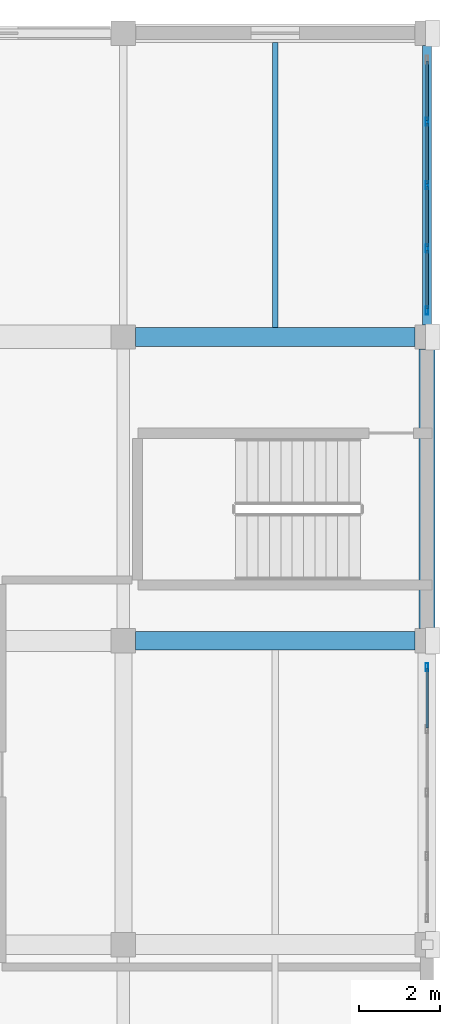
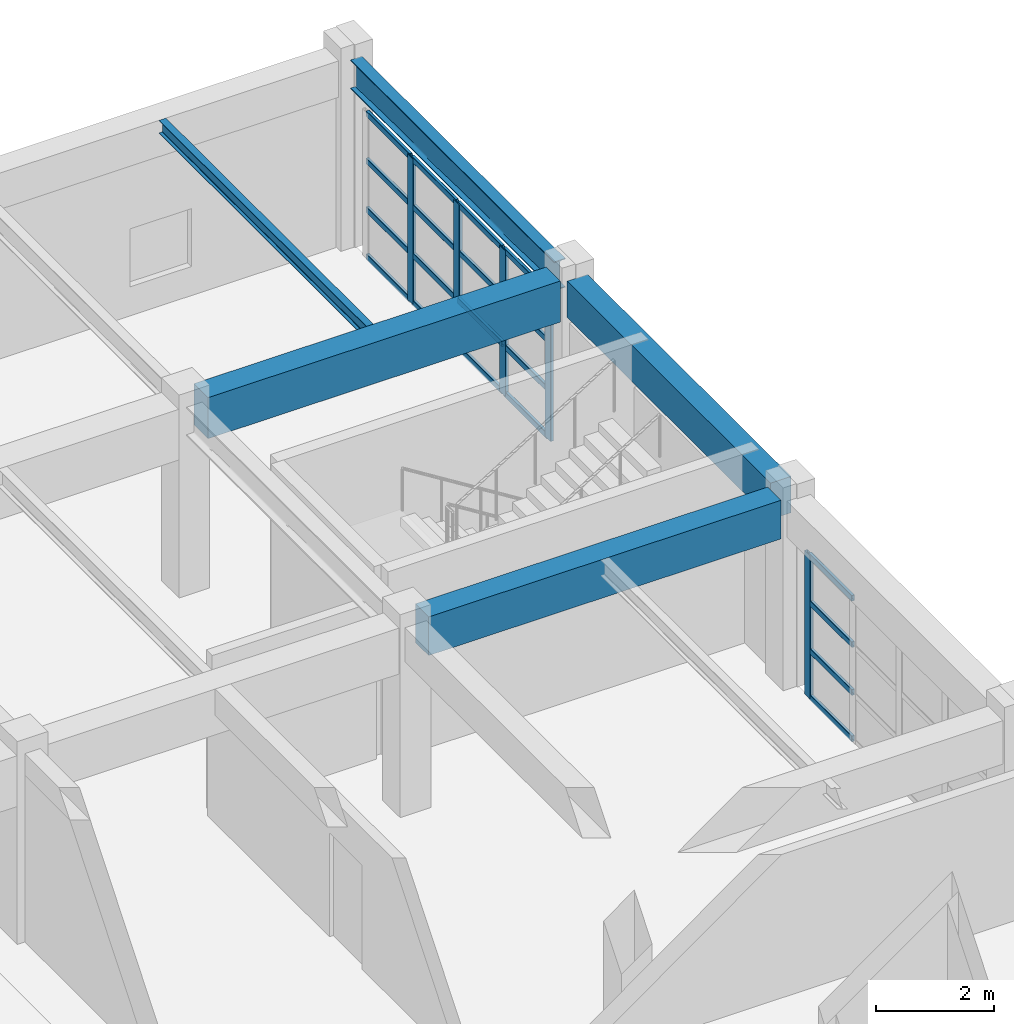
# One storey, part 74 of 124: 25 members, 5 beams, 2 elements without a shape of their own.
"""IFC4 building model written with IfcOpenShell, lengths in metres."""

import ifcopenshell
import ifcopenshell.guid

model = None  # the IFC model being written
_history = None  # IfcOwnerHistory: only IFC2X3 demands one
_inside = {}  # id of a spatial element -> (the spatial element, [elements in it])
_under = {}  # id of a project, library or spatial element -> (it, [spatial elements below it])
_declared = {}  # id of a project -> (the project, [libraries it declares])
_typed = {}  # id of a type object -> (the type object, [elements of that type])
_made_of = {}  # id of a material, layer set ... -> (it, [elements and type objects made of it])


def new_model(schema):
    """Start an empty IFC model of exactly this schema.

    Asked for "IFC4X3", IfcOpenShell would pick the latest addendum, in which some entities
    have other attributes; the version numbers below select the first issue.
    IFC2X3 requires an IfcOwnerHistory on every rooted entity: one is made here for all.
    """
    global model, _history
    if schema == "IFC4X3":
        model = ifcopenshell.file(schema_version=(4, 3, 0, 0))
    else:
        model = ifcopenshell.file(schema=schema)
    _inside.clear()
    _under.clear()
    _declared.clear()
    _typed.clear()
    _made_of.clear()
    _history = None
    if model.schema == "IFC2X3":
        org = make("IfcOrganization", Name="unknown")
        user = make(
            "IfcPersonAndOrganization",
            ThePerson=make("IfcPerson", FamilyName="unknown"),
            TheOrganization=org,
        )
        app = make(
            "IfcApplication",
            ApplicationDeveloper=org,
            Version="unknown",
            ApplicationFullName="unknown",
            ApplicationIdentifier="unknown",
        )
        _history = make(
            "IfcOwnerHistory",
            OwningUser=user,
            OwningApplication=app,
            ChangeAction="ADDED",
            CreationDate=0,
        )
    return model


def make(cls, **values):
    """One entity of the class cls with the attributes given. An attribute that is None is left unset."""
    return model.create_entity(
        cls, **{name: value for name, value in values.items() if value is not None}
    )


def rooted(cls, **values):
    """An entity with a GlobalId (a new one), such as an element, a storey or a relation."""
    return make(cls, GlobalId=ifcopenshell.guid.new(), OwnerHistory=_history, **values)


def si_unit(unit_type, name, prefix=None):
    """IfcSIUnit, for example si_unit("LENGTHUNIT", "METRE", prefix="MILLI")."""
    return make("IfcSIUnit", UnitType=unit_type, Prefix=prefix, Name=name)


def assignment(units):
    """IfcUnitAssignment: the units of a project."""
    return None if units is None else make("IfcUnitAssignment", Units=units)


def point(xyz):
    """IfcCartesianPoint."""
    return None if xyz is None else make("IfcCartesianPoint", Coordinates=xyz)


def direction(xyz):
    """IfcDirection."""
    return None if xyz is None else make("IfcDirection", DirectionRatios=xyz)


def frame(location, z_axis=None, x_axis=None):
    """IfcAxis2Placement3D, a coordinate frame: its origin and axes. An axis left out is left unset."""
    return make(
        "IfcAxis2Placement3D",
        Location=point(location),
        Axis=direction(z_axis),
        RefDirection=direction(x_axis),
    )


def frame_2d(location, x_axis=None):
    """IfcAxis2Placement2D, a coordinate frame in the plane: its origin and x axis."""
    return make(
        "IfcAxis2Placement2D", Location=point(location), RefDirection=direction(x_axis)
    )


def origin():
    """The frame at (0, 0, 0) with its axes left unset."""
    return frame((0.0, 0.0, 0.0))


def origin_2d():
    """The frame at (0, 0) in the plane with its x axis left unset."""
    return frame_2d((0.0, 0.0))


def place(relative_to, where):
    """IfcLocalPlacement: puts the frame where relative to a parent placement (None: the world)."""
    return make(
        "IfcLocalPlacement", PlacementRelTo=relative_to, RelativePlacement=where
    )


def context(
    kind, dimensions, precision=None, world=None, true_north=None, identifier=None
):
    """IfcGeometricRepresentationContext, for example the 3D "Model" context."""
    return make(
        "IfcGeometricRepresentationContext",
        ContextIdentifier=identifier,
        ContextType=kind,
        CoordinateSpaceDimension=dimensions,
        Precision=precision,
        WorldCoordinateSystem=world,
        TrueNorth=true_north,
    )


def subcontext(parent, identifier, kind, view, scale=None):
    """IfcGeometricRepresentationSubContext, for example "Body" below "Model"."""
    return make(
        "IfcGeometricRepresentationSubContext",
        ContextIdentifier=identifier,
        ContextType=kind,
        ParentContext=parent,
        TargetScale=scale,
        TargetView=view,
    )


def project(units=None, contexts=None):
    """IfcProject with its units and contexts."""
    return rooted(
        "IfcProject",
        Name="project",
        RepresentationContexts=contexts,
        UnitsInContext=assignment(units),
    )


def spatial(cls, under=None, at=None, **own):
    """A site, building, storey or space (cls), placed at a placement, below another one or the project."""
    s = rooted(cls, ObjectPlacement=at, **own)
    if under is not None:
        _under.setdefault(under.id(), (under, []))[1].append(s)
    return s


def profile(cls, at=None, kind="AREA", **sizes):
    """A parametric profile (cls). Its sizes go by their IFC names, for example OverallWidth=200.0."""
    return make(cls, ProfileType=kind, Position=at, **sizes)


def rectangle(**sizes):
    """IfcRectangleProfileDef."""
    return profile("IfcRectangleProfileDef", **sizes)


def hollow_rectangle(**sizes):
    """IfcRectangleHollowProfileDef."""
    return profile("IfcRectangleHollowProfileDef", **sizes)


def i_section(**sizes):
    """IfcIShapeProfileDef."""
    return profile("IfcIShapeProfileDef", **sizes)


def extrude(swept, where, along, depth):
    """IfcExtrudedAreaSolid: the profile swept, set in the frame where, extruded along a direction by depth."""
    return make(
        "IfcExtrudedAreaSolid",
        SweptArea=swept,
        Position=where,
        ExtrudedDirection=direction(along),
        Depth=depth,
    )


def shape(context_of_items, identifier, shape_type, items):
    """IfcShapeRepresentation: the items that make up one representation, for example the "Body"."""
    return make(
        "IfcShapeRepresentation",
        ContextOfItems=context_of_items,
        RepresentationIdentifier=identifier,
        RepresentationType=shape_type,
        Items=items,
    )


def material(Name=None, Category=None):
    """IfcMaterial."""
    return make("IfcMaterial", Name=Name, Category=Category)


def material_profile(
    of_material, cross_section, Name=None, Category=None, Priority=None
):
    """IfcMaterialProfile: a cross section and its material."""
    return make(
        "IfcMaterialProfile",
        Name=Name,
        Material=of_material,
        Profile=cross_section,
        Priority=Priority,
        Category=Category,
    )


def profile_set(profiles, Name=None, composite=None):
    """IfcMaterialProfileSet."""
    return make(
        "IfcMaterialProfileSet",
        Name=Name,
        MaterialProfiles=profiles,
        CompositeProfile=composite,
    )


def made_of(thing, what):
    """Note that an element or type object is made of a material, layer set ...; save() writes the relation."""
    if what is not None:
        _made_of.setdefault(what.id(), (what, []))[1].append(thing)
    return thing


def type_object(cls, material=None, **own):
    """A type object (cls), such as IfcWallType, which elements share."""
    return made_of(rooted(cls, **own), material)


def element(
    cls,
    number,
    at=None,
    inside=None,
    cuts=None,
    type_object=None,
    material=None,
    context=None,
    identifier="Body",
    shape_type=None,
    held_by="IfcProductDefinitionShape",
    body=None,
    shapes=None,
    **own,
):
    """One element of the class cls, such as IfcWall. Its Tag is "e" and its number.

    at: its placement. inside: the storey or other place that contains it. cuts: it is an
    opening in that element (IfcRelVoidsElement). A single representation is given by context,
    identifier, shape_type and body (its items); several are given by shapes. held_by: the class
    of the entity that holds the representations. save() writes the other relations.
    """
    e = rooted(cls, Tag="e%d" % number, ObjectPlacement=at, **own)
    if body is not None:
        shapes = [shape(context, identifier, shape_type, body)]
    if shapes is not None:
        e.Representation = make(held_by, Representations=shapes)
    if inside is not None:
        _inside.setdefault(inside.id(), (inside, []))[1].append(e)
    if cuts is not None:
        rooted(
            "IfcRelVoidsElement", RelatingBuildingElement=cuts, RelatedOpeningElement=e
        )
    if type_object is not None:
        _typed.setdefault(type_object.id(), (type_object, []))[1].append(e)
    return made_of(e, material)


def aggregate(whole, parts):
    """IfcRelAggregates: a whole, such as a stair, and the parts it consists of."""
    return rooted("IfcRelAggregates", RelatingObject=whole, RelatedObjects=parts)


def save(model, path):
    """Write the relations noted so far, then the file.

    IfcRelAggregates (storeys below a building ...), IfcRelContainedInSpatialStructure (elements
    in a storey), IfcRelDefinesByType, IfcRelAssociatesMaterial and IfcRelDeclares: one each for
    every whole, place, type object, material and project.
    """
    for whole, parts in _under.values():
        aggregate(whole, parts)
    for where, things in _inside.values():
        rooted(
            "IfcRelContainedInSpatialStructure",
            RelatedElements=things,
            RelatingStructure=where,
        )
    for kind, things in _typed.values():
        rooted("IfcRelDefinesByType", RelatedObjects=things, RelatingType=kind)
    for what, things in _made_of.values():
        rooted("IfcRelAssociatesMaterial", RelatedObjects=things, RelatingMaterial=what)
    for by, libraries in _declared.values():
        rooted("IfcRelDeclares", RelatingContext=by, RelatedDefinitions=libraries)
    model.write(path)


model = new_model("IFC4")

# Units and contexts
model_context = context("Model", 3, precision=1e-05, world=origin(), true_north=direction((0.0, 1.0)))
body_context = subcontext(model_context, "Body", "Model", "MODEL_VIEW")
ifc_project = project(units=[si_unit("LENGTHUNIT", "METRE"), si_unit("AREAUNIT", "SQUARE_METRE"), si_unit("VOLUMEUNIT", "CUBIC_METRE"), si_unit("PLANEANGLEUNIT", "RADIAN"), si_unit("MASSUNIT", "GRAM", prefix="KILO")], contexts=[model_context])

# Site, building, storey
site_placement = place(None, origin())
site = spatial("IfcSite", under=ifc_project, at=site_placement, CompositionType="ELEMENT")
building_placement = place(site_placement, origin())
building = spatial("IfcBuilding", under=site, at=building_placement, Name="Qasida Concert Hall", CompositionType="ELEMENT")
storey_placement = place(building_placement, frame((0.0, 0.0, 9.0)))
storey = spatial("IfcBuildingStorey", under=building, at=storey_placement, Name="L02", CompositionType="ELEMENT", Elevation=9.0)

# Beams
ifc_material_1 = material(Name="Concrete C40/50", Category="concrete")
ifc_material_profile_1 = material_profile(ifc_material_1, rectangle(XDim=0.449951171875, YDim=0.800048828125, at=origin_2d()), Name="RC 450x800")
ifc_profile_set_1 = profile_set([ifc_material_profile_1], Name="Concrete C40/50")
beam_type_1 = type_object("IfcBeamType", Name="BM-G2", PredefinedType="USERDEFINED", material=ifc_profile_set_1)
beam_1_placement = place(storey_placement, frame((157.800048828125, 97.5, 3.5), z_axis=(1.0, 0.0, 0.0), x_axis=(0.0, 1.0, 0.0)))
element("IfcBeam", 1, at=beam_1_placement, inside=storey, type_object=beam_type_1, Name="Primary girder 1370", ObjectType="GIRDER", PredefinedType="USERDEFINED", context=body_context, shape_type="SweptSolid", body=[
    extrude(rectangle(XDim=0.449951171875, YDim=0.800048828125, at=origin_2d()), origin(), (0.0, 0.0, 1.0), 6.89990234375),
])
ifc_material_profile_2 = material_profile(ifc_material_1, rectangle(XDim=0.47998046875, YDim=0.85009765625, at=origin_2d()), Name="RC 480x850")
ifc_profile_set_2 = profile_set([ifc_material_profile_2], Name="Concrete C40/50")
beam_type_2 = type_object("IfcBeamType", Name="BM-G6", PredefinedType="USERDEFINED", material=ifc_profile_set_2)
beam_2_placement = place(storey_placement, frame((157.800048828125, 105.0, 3.47509765625), z_axis=(1.0, 0.0, 0.0), x_axis=(0.0, 1.0, 0.0)))
element("IfcBeam", 2, at=beam_2_placement, inside=storey, type_object=beam_type_2, Name="Primary girder 1376", ObjectType="GIRDER", PredefinedType="USERDEFINED", context=body_context, shape_type="SweptSolid", body=[
    extrude(rectangle(XDim=0.47998046875, YDim=0.85009765625, at=origin_2d()), origin(), (0.0, 0.0, 1.0), 6.89990234375),
])
ifc_material_2 = material(Name="Steel S355J2", Category="steel")
ifc_material_profile_3 = material_profile(ifc_material_2, i_section(OverallWidth=0.135009765625, OverallDepth=0.27001953125, WebThickness=0.006591796875, FlangeThickness=0.01025390625, FilletRadius=0.014892578125, at=origin_2d()), Name="IPE 270")
ifc_profile_set_3 = profile_set([ifc_material_profile_3], Name="Steel S355J2")
beam_type_3 = type_object("IfcBeamType", Name="BM-J6", PredefinedType="JOIST", material=ifc_profile_set_3)
beam_3_placement = place(storey_placement, frame((161.25, 105.239990234375, 3.764892578125), z_axis=(0.0, 1.0, 0.0), x_axis=(-1.0, 0.0, 0.0)))
element("IfcBeam", 3, at=beam_3_placement, inside=storey, type_object=beam_type_3, Name="L02 secondary joist 1437", PredefinedType="JOIST", context=body_context, shape_type="SweptSolid", body=[
    extrude(i_section(OverallWidth=0.135009765625, OverallDepth=0.27001953125, WebThickness=0.006591796875, FlangeThickness=0.01025390625, FilletRadius=0.014892578125, at=origin_2d()), origin(), (0.0, 0.0, 1.0), 7.034912109375),
])
ifc_material_profile_4 = material_profile(ifc_material_1, rectangle(XDim=0.39990234375, YDim=0.75, at=origin_2d()), Name="RC 400x750")
ifc_profile_set_4 = profile_set([ifc_material_profile_4], Name="Concrete C40/50")
beam_type_4 = type_object("IfcBeamType", Name="BM-SP1", PredefinedType="SPANDREL", material=ifc_profile_set_4)
beam_4_placement = place(storey_placement, frame((165.0, 97.800048828125, 3.52490234375), z_axis=(0.0, 1.0, 0.0), x_axis=(-1.0, 0.0, 0.0)))
element("IfcBeam", 4, at=beam_4_placement, inside=storey, type_object=beam_type_4, Name="L02 girder 1414", PredefinedType="SPANDREL", context=body_context, shape_type="SweptSolid", body=[
    extrude(rectangle(XDim=0.39990234375, YDim=0.75, at=origin_2d()), origin(), (0.0, 0.0, 1.0), 6.89990234375),
])
ifc_material_profile_5 = material_profile(ifc_material_2, i_section(OverallWidth=0.219970703125, OverallDepth=0.60009765625, WebThickness=0.011962890625, FlangeThickness=0.01904296875, FilletRadius=0.02392578125, at=origin_2d()), Name="IPE 600")
ifc_profile_set_5 = profile_set([ifc_material_profile_5], Name="Steel S355J2")
beam_type_5 = type_object("IfcBeamType", Name="BM-SP3", PredefinedType="SPANDREL", material=ifc_profile_set_5)
beam_5_placement = place(storey_placement, frame((165.0, 105.300048828125, 3.60009765625), z_axis=(0.0, 1.0, 0.0), x_axis=(-1.0, 0.0, 0.0)))
element("IfcBeam", 5, at=beam_5_placement, inside=storey, type_object=beam_type_5, Name="L02 girder 1415", PredefinedType="SPANDREL", context=body_context, shape_type="SweptSolid", body=[
    extrude(i_section(OverallWidth=0.219970703125, OverallDepth=0.60009765625, WebThickness=0.011962890625, FlangeThickness=0.01904296875, FilletRadius=0.02392578125, at=origin_2d()), origin(), (0.0, 0.0, 1.0), 6.89990234375),
])

# Curtain wall, member
ifc_material_3 = material(Name="Architectural bronze-anodized aluminium and low-E glass", Category="aluminium")
curtain_wall_type = type_object("IfcCurtainWallType", Name="CW-11", PredefinedType="NOTDEFINED", material=ifc_material_3)
curtain_wall_1_placement = place(storey_placement, origin())
curtain_wall_1 = element("IfcCurtainWall", 6, at=curtain_wall_1_placement, inside=storey, type_object=curtain_wall_type, Name="L02 curtain wall CW-11 0175", PredefinedType="NOTDEFINED")
ifc_material_4 = material(Name="Architectural bronze-anodized aluminium EN AW-6063", Category="aluminium")
ifc_material_profile_6 = material_profile(ifc_material_4, hollow_rectangle(XDim=0.06494140625, YDim=0.199951171875, WallThickness=0.0048828125, InnerFilletRadius=0.0048828125, OuterFilletRadius=0.010009765625, at=origin_2d()), Name="CWM 200x65x5")
ifc_profile_set_6 = profile_set([ifc_material_profile_6], Name="Architectural bronze-anodized aluminium EN AW-6063")
member_type_1 = type_object("IfcMemberType", Name="MB-CWM-2", PredefinedType="MULLION", material=ifc_profile_set_6)
member_1_placement = place(storey_placement, frame((165.0, 96.847412109375, 0.0), z_axis=(0.0, 0.0, 1.0), x_axis=(-1.0, 0.0, 0.0)))
member_1 = element("IfcMember", 7, at=member_1_placement, type_object=member_type_1, Name="CW-11 mullion 5", PredefinedType="MULLION", context=body_context, shape_type="SweptSolid", body=[
    extrude(hollow_rectangle(XDim=0.06494140625, YDim=0.199951171875, WallThickness=0.0048828125, InnerFilletRadius=0.0048828125, OuterFilletRadius=0.010009765625, at=origin_2d()), origin(), (0.0, 0.0, 1.0), 2.969970703125),
])

# Curtain wall, members
curtain_wall_2_placement = place(storey_placement, origin())
curtain_wall_2 = element("IfcCurtainWall", 8, at=curtain_wall_2_placement, inside=storey, type_object=curtain_wall_type, Name="L02 curtain wall CW-11 0177", PredefinedType="NOTDEFINED")
member_2_placement = place(storey_placement, frame((165.0, 105.652587890625, 0.0), z_axis=(0.0, 0.0, 1.0), x_axis=(-1.0, 0.0, 0.0)))
member_2 = element("IfcMember", 9, at=member_2_placement, type_object=member_type_1, Name="CW-11 mullion 1", PredefinedType="MULLION", context=body_context, shape_type="SweptSolid", body=[
    extrude(hollow_rectangle(XDim=0.06494140625, YDim=0.199951171875, WallThickness=0.0048828125, InnerFilletRadius=0.0048828125, OuterFilletRadius=0.010009765625, at=origin_2d()), origin(), (0.0, 0.0, 1.0), 3.02001953125),
])
member_3_placement = place(storey_placement, frame((165.0, 107.18505859375, 0.0), z_axis=(0.0, 0.0, 1.0), x_axis=(-1.0, 0.0, 0.0)))
member_3 = element("IfcMember", 10, at=member_3_placement, type_object=member_type_1, Name="CW-11 mullion 2", PredefinedType="MULLION", context=body_context, shape_type="SweptSolid", body=[
    extrude(hollow_rectangle(XDim=0.06494140625, YDim=0.199951171875, WallThickness=0.0048828125, InnerFilletRadius=0.0048828125, OuterFilletRadius=0.010009765625, at=origin_2d()), origin(), (0.0, 0.0, 1.0), 3.02001953125),
])
member_4_placement = place(storey_placement, frame((165.0, 108.75, 0.0), z_axis=(0.0, 0.0, 1.0), x_axis=(-1.0, 0.0, 0.0)))
member_4 = element("IfcMember", 11, at=member_4_placement, type_object=member_type_1, Name="CW-11 mullion 3", PredefinedType="MULLION", context=body_context, shape_type="SweptSolid", body=[
    extrude(hollow_rectangle(XDim=0.06494140625, YDim=0.199951171875, WallThickness=0.0048828125, InnerFilletRadius=0.0048828125, OuterFilletRadius=0.010009765625, at=origin_2d()), origin(), (0.0, 0.0, 1.0), 3.02001953125),
])
member_5_placement = place(storey_placement, frame((165.0, 110.31494140625, 0.0), z_axis=(0.0, 0.0, 1.0), x_axis=(-1.0, 0.0, 0.0)))
member_5 = element("IfcMember", 12, at=member_5_placement, type_object=member_type_1, Name="CW-11 mullion 4", PredefinedType="MULLION", context=body_context, shape_type="SweptSolid", body=[
    extrude(hollow_rectangle(XDim=0.06494140625, YDim=0.199951171875, WallThickness=0.0048828125, InnerFilletRadius=0.0048828125, OuterFilletRadius=0.010009765625, at=origin_2d()), origin(), (0.0, 0.0, 1.0), 3.02001953125),
])

# Member
ifc_material_profile_7 = material_profile(ifc_material_4, hollow_rectangle(XDim=0.06005859375, YDim=0.1201171875, WallThickness=0.00390625, InnerFilletRadius=0.00390625, OuterFilletRadius=0.008056640625, at=origin_2d()), Name="CWT 120x60x4")
ifc_profile_set_7 = profile_set([ifc_material_profile_7], Name="Architectural bronze-anodized aluminium EN AW-6063")
member_type_2 = type_object("IfcMemberType", Name="MB-CWT-2", PredefinedType="USERDEFINED", material=ifc_profile_set_7)
member_6_placement = place(storey_placement, frame((165.0, 95.347412109375, 0.030029296875), z_axis=(0.0, 1.0, 0.0), x_axis=(-1.0, 0.0, 0.0)))
member_6 = element("IfcMember", 13, at=member_6_placement, type_object=member_type_2, Name="CW-11 transom 4.1", ObjectType="TRANSOM", PredefinedType="USERDEFINED", context=body_context, shape_type="SweptSolid", body=[
    extrude(hollow_rectangle(XDim=0.06005859375, YDim=0.1201171875, WallThickness=0.00390625, InnerFilletRadius=0.00390625, OuterFilletRadius=0.008056640625, at=origin_2d()), origin(), (0.0, 0.0, 1.0), 1.467529296875),
])

member_7_placement = place(storey_placement, frame((165.0, 95.347412109375, 0.989990234375), z_axis=(0.0, 1.0, 0.0), x_axis=(-1.0, 0.0, 0.0)))
member_7 = element("IfcMember", 14, at=member_7_placement, type_object=member_type_2, Name="CW-11 transom 4.2", ObjectType="TRANSOM", PredefinedType="USERDEFINED", context=body_context, shape_type="SweptSolid", body=[
    extrude(hollow_rectangle(XDim=0.06005859375, YDim=0.1201171875, WallThickness=0.00390625, InnerFilletRadius=0.00390625, OuterFilletRadius=0.008056640625, at=origin_2d()), origin(), (0.0, 0.0, 1.0), 1.467529296875),
])

member_8_placement = place(storey_placement, frame((165.0, 95.347412109375, 1.97998046875), z_axis=(0.0, 1.0, 0.0), x_axis=(-1.0, 0.0, 0.0)))
member_8 = element("IfcMember", 15, at=member_8_placement, type_object=member_type_2, Name="CW-11 transom 4.3", ObjectType="TRANSOM", PredefinedType="USERDEFINED", context=body_context, shape_type="SweptSolid", body=[
    extrude(hollow_rectangle(XDim=0.06005859375, YDim=0.1201171875, WallThickness=0.00390625, InnerFilletRadius=0.00390625, OuterFilletRadius=0.008056640625, at=origin_2d()), origin(), (0.0, 0.0, 1.0), 1.467529296875),
])

member_9_placement = place(storey_placement, frame((165.0, 95.347412109375, 2.93994140625), z_axis=(0.0, 1.0, 0.0), x_axis=(-1.0, 0.0, 0.0)))
member_9 = element("IfcMember", 16, at=member_9_placement, type_object=member_type_2, Name="CW-11 transom 4.4", ObjectType="TRANSOM", PredefinedType="USERDEFINED", context=body_context, shape_type="SweptSolid", body=[
    extrude(hollow_rectangle(XDim=0.06005859375, YDim=0.1201171875, WallThickness=0.00390625, InnerFilletRadius=0.00390625, OuterFilletRadius=0.008056640625, at=origin_2d()), origin(), (0.0, 0.0, 1.0), 1.467529296875),
])

aggregate(curtain_wall_1, [member_1, member_6, member_7, member_8, member_9])

member_10_placement = place(storey_placement, frame((165.0, 105.68505859375, 0.030029296875), z_axis=(0.0, 1.0, 0.0), x_axis=(-1.0, 0.0, 0.0)))
member_10 = element("IfcMember", 17, at=member_10_placement, type_object=member_type_2, Name="CW-11 transom 1.1", ObjectType="TRANSOM", PredefinedType="USERDEFINED", context=body_context, shape_type="SweptSolid", body=[
    extrude(hollow_rectangle(XDim=0.06005859375, YDim=0.1201171875, WallThickness=0.00390625, InnerFilletRadius=0.00390625, OuterFilletRadius=0.008056640625, at=origin_2d()), origin(), (0.0, 0.0, 1.0), 1.467529296875),
])

member_11_placement = place(storey_placement, frame((165.0, 105.68505859375, 1.006591796875), z_axis=(0.0, 1.0, 0.0), x_axis=(-1.0, 0.0, 0.0)))
member_11 = element("IfcMember", 18, at=member_11_placement, type_object=member_type_2, Name="CW-11 transom 1.2", ObjectType="TRANSOM", PredefinedType="USERDEFINED", context=body_context, shape_type="SweptSolid", body=[
    extrude(hollow_rectangle(XDim=0.06005859375, YDim=0.1201171875, WallThickness=0.00390625, InnerFilletRadius=0.00390625, OuterFilletRadius=0.008056640625, at=origin_2d()), origin(), (0.0, 0.0, 1.0), 1.467529296875),
])

member_12_placement = place(storey_placement, frame((165.0, 105.68505859375, 2.01318359375), z_axis=(0.0, 1.0, 0.0), x_axis=(-1.0, 0.0, 0.0)))
member_12 = element("IfcMember", 19, at=member_12_placement, type_object=member_type_2, Name="CW-11 transom 1.3", ObjectType="TRANSOM", PredefinedType="USERDEFINED", context=body_context, shape_type="SweptSolid", body=[
    extrude(hollow_rectangle(XDim=0.06005859375, YDim=0.1201171875, WallThickness=0.00390625, InnerFilletRadius=0.00390625, OuterFilletRadius=0.008056640625, at=origin_2d()), origin(), (0.0, 0.0, 1.0), 1.467529296875),
])

member_13_placement = place(storey_placement, frame((165.0, 105.68505859375, 2.989990234375), z_axis=(0.0, 1.0, 0.0), x_axis=(-1.0, 0.0, 0.0)))
member_13 = element("IfcMember", 20, at=member_13_placement, type_object=member_type_2, Name="CW-11 transom 1.4", ObjectType="TRANSOM", PredefinedType="USERDEFINED", context=body_context, shape_type="SweptSolid", body=[
    extrude(hollow_rectangle(XDim=0.06005859375, YDim=0.1201171875, WallThickness=0.00390625, InnerFilletRadius=0.00390625, OuterFilletRadius=0.008056640625, at=origin_2d()), origin(), (0.0, 0.0, 1.0), 1.467529296875),
])

member_14_placement = place(storey_placement, frame((165.0, 107.217529296875, 0.030029296875), z_axis=(0.0, 1.0, 0.0), x_axis=(-1.0, 0.0, 0.0)))
member_14 = element("IfcMember", 21, at=member_14_placement, type_object=member_type_2, Name="CW-11 transom 2.1", ObjectType="TRANSOM", PredefinedType="USERDEFINED", context=body_context, shape_type="SweptSolid", body=[
    extrude(hollow_rectangle(XDim=0.06005859375, YDim=0.1201171875, WallThickness=0.00390625, InnerFilletRadius=0.00390625, OuterFilletRadius=0.008056640625, at=origin_2d()), origin(), (0.0, 0.0, 1.0), 1.5),
])

member_15_placement = place(storey_placement, frame((165.0, 107.217529296875, 1.006591796875), z_axis=(0.0, 1.0, 0.0), x_axis=(-1.0, 0.0, 0.0)))
member_15 = element("IfcMember", 22, at=member_15_placement, type_object=member_type_2, Name="CW-11 transom 2.2", ObjectType="TRANSOM", PredefinedType="USERDEFINED", context=body_context, shape_type="SweptSolid", body=[
    extrude(hollow_rectangle(XDim=0.06005859375, YDim=0.1201171875, WallThickness=0.00390625, InnerFilletRadius=0.00390625, OuterFilletRadius=0.008056640625, at=origin_2d()), origin(), (0.0, 0.0, 1.0), 1.5),
])

member_16_placement = place(storey_placement, frame((165.0, 107.217529296875, 2.01318359375), z_axis=(0.0, 1.0, 0.0), x_axis=(-1.0, 0.0, 0.0)))
member_16 = element("IfcMember", 23, at=member_16_placement, type_object=member_type_2, Name="CW-11 transom 2.3", ObjectType="TRANSOM", PredefinedType="USERDEFINED", context=body_context, shape_type="SweptSolid", body=[
    extrude(hollow_rectangle(XDim=0.06005859375, YDim=0.1201171875, WallThickness=0.00390625, InnerFilletRadius=0.00390625, OuterFilletRadius=0.008056640625, at=origin_2d()), origin(), (0.0, 0.0, 1.0), 1.5),
])

member_17_placement = place(storey_placement, frame((165.0, 107.217529296875, 2.989990234375), z_axis=(0.0, 1.0, 0.0), x_axis=(-1.0, 0.0, 0.0)))
member_17 = element("IfcMember", 24, at=member_17_placement, type_object=member_type_2, Name="CW-11 transom 2.4", ObjectType="TRANSOM", PredefinedType="USERDEFINED", context=body_context, shape_type="SweptSolid", body=[
    extrude(hollow_rectangle(XDim=0.06005859375, YDim=0.1201171875, WallThickness=0.00390625, InnerFilletRadius=0.00390625, OuterFilletRadius=0.008056640625, at=origin_2d()), origin(), (0.0, 0.0, 1.0), 1.5),
])

member_18_placement = place(storey_placement, frame((165.0, 108.782470703125, 0.030029296875), z_axis=(0.0, 1.0, 0.0), x_axis=(-1.0, 0.0, 0.0)))
member_18 = element("IfcMember", 25, at=member_18_placement, type_object=member_type_2, Name="CW-11 transom 3.1", ObjectType="TRANSOM", PredefinedType="USERDEFINED", context=body_context, shape_type="SweptSolid", body=[
    extrude(hollow_rectangle(XDim=0.06005859375, YDim=0.1201171875, WallThickness=0.00390625, InnerFilletRadius=0.00390625, OuterFilletRadius=0.008056640625, at=origin_2d()), origin(), (0.0, 0.0, 1.0), 1.5),
])

member_19_placement = place(storey_placement, frame((165.0, 108.782470703125, 1.006591796875), z_axis=(0.0, 1.0, 0.0), x_axis=(-1.0, 0.0, 0.0)))
member_19 = element("IfcMember", 26, at=member_19_placement, type_object=member_type_2, Name="CW-11 transom 3.2", ObjectType="TRANSOM", PredefinedType="USERDEFINED", context=body_context, shape_type="SweptSolid", body=[
    extrude(hollow_rectangle(XDim=0.06005859375, YDim=0.1201171875, WallThickness=0.00390625, InnerFilletRadius=0.00390625, OuterFilletRadius=0.008056640625, at=origin_2d()), origin(), (0.0, 0.0, 1.0), 1.5),
])

member_20_placement = place(storey_placement, frame((165.0, 108.782470703125, 2.01318359375), z_axis=(0.0, 1.0, 0.0), x_axis=(-1.0, 0.0, 0.0)))
member_20 = element("IfcMember", 27, at=member_20_placement, type_object=member_type_2, Name="CW-11 transom 3.3", ObjectType="TRANSOM", PredefinedType="USERDEFINED", context=body_context, shape_type="SweptSolid", body=[
    extrude(hollow_rectangle(XDim=0.06005859375, YDim=0.1201171875, WallThickness=0.00390625, InnerFilletRadius=0.00390625, OuterFilletRadius=0.008056640625, at=origin_2d()), origin(), (0.0, 0.0, 1.0), 1.5),
])

member_21_placement = place(storey_placement, frame((165.0, 108.782470703125, 2.989990234375), z_axis=(0.0, 1.0, 0.0), x_axis=(-1.0, 0.0, 0.0)))
member_21 = element("IfcMember", 28, at=member_21_placement, type_object=member_type_2, Name="CW-11 transom 3.4", ObjectType="TRANSOM", PredefinedType="USERDEFINED", context=body_context, shape_type="SweptSolid", body=[
    extrude(hollow_rectangle(XDim=0.06005859375, YDim=0.1201171875, WallThickness=0.00390625, InnerFilletRadius=0.00390625, OuterFilletRadius=0.008056640625, at=origin_2d()), origin(), (0.0, 0.0, 1.0), 1.5),
])

member_22_placement = place(storey_placement, frame((165.0, 110.347412109375, 0.030029296875), z_axis=(0.0, 1.0, 0.0), x_axis=(-1.0, 0.0, 0.0)))
member_22 = element("IfcMember", 29, at=member_22_placement, type_object=member_type_2, Name="CW-11 transom 4.1", ObjectType="TRANSOM", PredefinedType="USERDEFINED", context=body_context, shape_type="SweptSolid", body=[
    extrude(hollow_rectangle(XDim=0.06005859375, YDim=0.1201171875, WallThickness=0.00390625, InnerFilletRadius=0.00390625, OuterFilletRadius=0.008056640625, at=origin_2d()), origin(), (0.0, 0.0, 1.0), 1.467529296875),
])

member_23_placement = place(storey_placement, frame((165.0, 110.347412109375, 1.006591796875), z_axis=(0.0, 1.0, 0.0), x_axis=(-1.0, 0.0, 0.0)))
member_23 = element("IfcMember", 30, at=member_23_placement, type_object=member_type_2, Name="CW-11 transom 4.2", ObjectType="TRANSOM", PredefinedType="USERDEFINED", context=body_context, shape_type="SweptSolid", body=[
    extrude(hollow_rectangle(XDim=0.06005859375, YDim=0.1201171875, WallThickness=0.00390625, InnerFilletRadius=0.00390625, OuterFilletRadius=0.008056640625, at=origin_2d()), origin(), (0.0, 0.0, 1.0), 1.467529296875),
])

member_24_placement = place(storey_placement, frame((165.0, 110.347412109375, 2.01318359375), z_axis=(0.0, 1.0, 0.0), x_axis=(-1.0, 0.0, 0.0)))
member_24 = element("IfcMember", 31, at=member_24_placement, type_object=member_type_2, Name="CW-11 transom 4.3", ObjectType="TRANSOM", PredefinedType="USERDEFINED", context=body_context, shape_type="SweptSolid", body=[
    extrude(hollow_rectangle(XDim=0.06005859375, YDim=0.1201171875, WallThickness=0.00390625, InnerFilletRadius=0.00390625, OuterFilletRadius=0.008056640625, at=origin_2d()), origin(), (0.0, 0.0, 1.0), 1.467529296875),
])

member_25_placement = place(storey_placement, frame((165.0, 110.347412109375, 2.989990234375), z_axis=(0.0, 1.0, 0.0), x_axis=(-1.0, 0.0, 0.0)))
member_25 = element("IfcMember", 32, at=member_25_placement, type_object=member_type_2, Name="CW-11 transom 4.4", ObjectType="TRANSOM", PredefinedType="USERDEFINED", context=body_context, shape_type="SweptSolid", body=[
    extrude(hollow_rectangle(XDim=0.06005859375, YDim=0.1201171875, WallThickness=0.00390625, InnerFilletRadius=0.00390625, OuterFilletRadius=0.008056640625, at=origin_2d()), origin(), (0.0, 0.0, 1.0), 1.467529296875),
])

aggregate(curtain_wall_2, [member_2, member_3, member_4, member_5, member_10, member_11, member_12, member_13, member_14, member_15, member_16, member_17, member_18, member_19, member_20, member_21, member_22, member_23, member_24, member_25])

save(model, "model.ifc")
